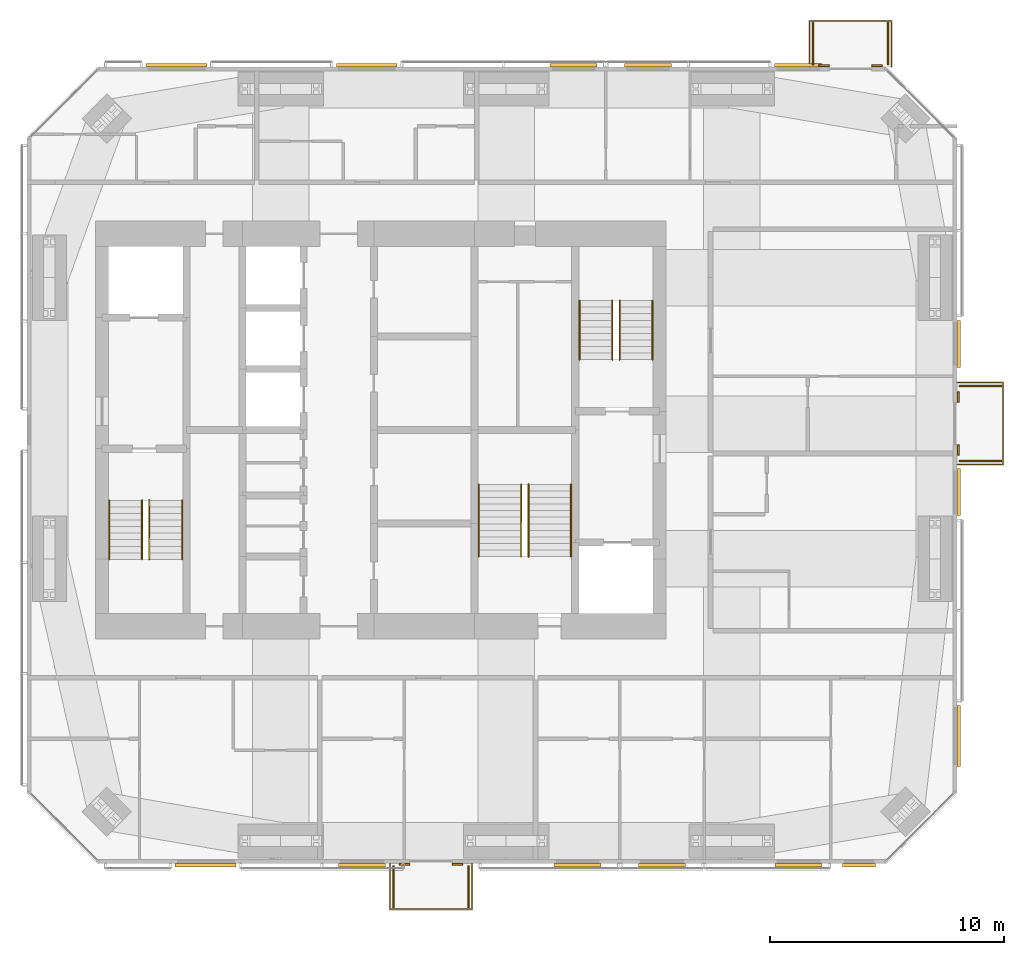
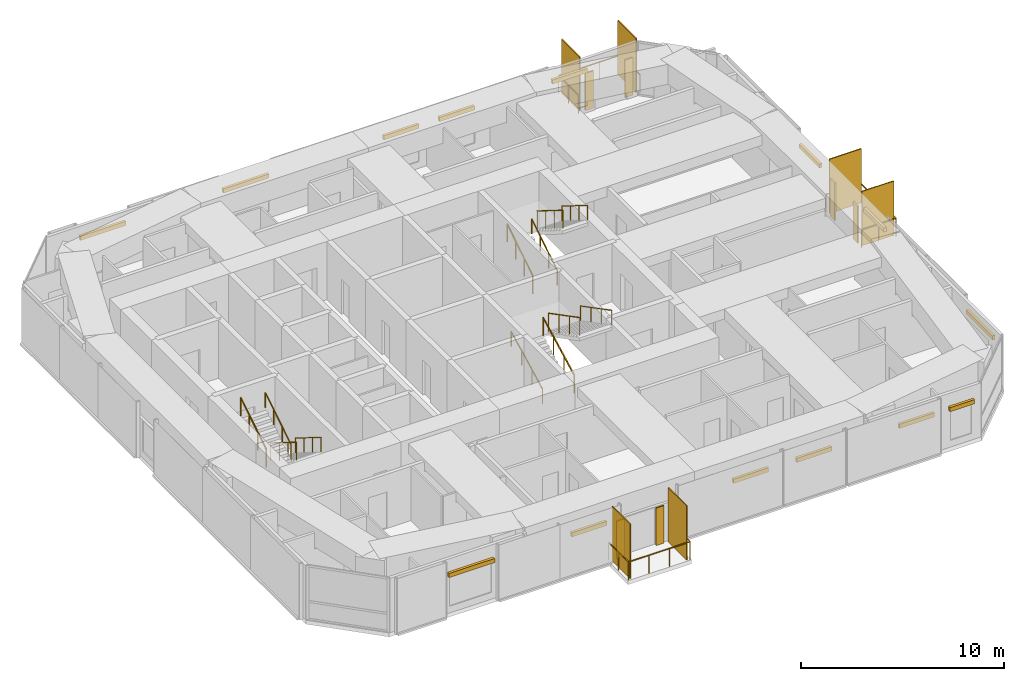
# One storey, part 18 of 18: 26 shading devices, 15 railings.
"""IFC4 building model written with IfcOpenShell, lengths in metres."""

import ifcopenshell
import ifcopenshell.guid

model = None  # the IFC model being written
_history = None  # IfcOwnerHistory: only IFC2X3 demands one
_inside = {}  # id of a spatial element -> (the spatial element, [elements in it])
_under = {}  # id of a project, library or spatial element -> (it, [spatial elements below it])
_declared = {}  # id of a project -> (the project, [libraries it declares])
_typed = {}  # id of a type object -> (the type object, [elements of that type])
_made_of = {}  # id of a material, layer set ... -> (it, [elements and type objects made of it])


def new_model(schema):
    """Start an empty IFC model of exactly this schema.

    Asked for "IFC4X3", IfcOpenShell would pick the latest addendum, in which some entities
    have other attributes; the version numbers below select the first issue.
    IFC2X3 requires an IfcOwnerHistory on every rooted entity: one is made here for all.
    """
    global model, _history
    if schema == "IFC4X3":
        model = ifcopenshell.file(schema_version=(4, 3, 0, 0))
    else:
        model = ifcopenshell.file(schema=schema)
    _inside.clear()
    _under.clear()
    _declared.clear()
    _typed.clear()
    _made_of.clear()
    _history = None
    if model.schema == "IFC2X3":
        org = make("IfcOrganization", Name="unknown")
        user = make(
            "IfcPersonAndOrganization",
            ThePerson=make("IfcPerson", FamilyName="unknown"),
            TheOrganization=org,
        )
        app = make(
            "IfcApplication",
            ApplicationDeveloper=org,
            Version="unknown",
            ApplicationFullName="unknown",
            ApplicationIdentifier="unknown",
        )
        _history = make(
            "IfcOwnerHistory",
            OwningUser=user,
            OwningApplication=app,
            ChangeAction="ADDED",
            CreationDate=0,
        )
    return model


def make(cls, **values):
    """One entity of the class cls with the attributes given. An attribute that is None is left unset."""
    return model.create_entity(
        cls, **{name: value for name, value in values.items() if value is not None}
    )


def rooted(cls, **values):
    """An entity with a GlobalId (a new one), such as an element, a storey or a relation."""
    return make(cls, GlobalId=ifcopenshell.guid.new(), OwnerHistory=_history, **values)


def si_unit(unit_type, name, prefix=None):
    """IfcSIUnit, for example si_unit("LENGTHUNIT", "METRE", prefix="MILLI")."""
    return make("IfcSIUnit", UnitType=unit_type, Prefix=prefix, Name=name)


def assignment(units):
    """IfcUnitAssignment: the units of a project."""
    return None if units is None else make("IfcUnitAssignment", Units=units)


def point(xyz):
    """IfcCartesianPoint."""
    return None if xyz is None else make("IfcCartesianPoint", Coordinates=xyz)


def direction(xyz):
    """IfcDirection."""
    return None if xyz is None else make("IfcDirection", DirectionRatios=xyz)


def frame(location, z_axis=None, x_axis=None):
    """IfcAxis2Placement3D, a coordinate frame: its origin and axes. An axis left out is left unset."""
    return make(
        "IfcAxis2Placement3D",
        Location=point(location),
        Axis=direction(z_axis),
        RefDirection=direction(x_axis),
    )


def frame_2d(location, x_axis=None):
    """IfcAxis2Placement2D, a coordinate frame in the plane: its origin and x axis."""
    return make(
        "IfcAxis2Placement2D", Location=point(location), RefDirection=direction(x_axis)
    )


def origin():
    """The frame at (0, 0, 0) with its axes left unset."""
    return frame((0.0, 0.0, 0.0))


def origin_2d():
    """The frame at (0, 0) in the plane with its x axis left unset."""
    return frame_2d((0.0, 0.0))


def place(relative_to, where):
    """IfcLocalPlacement: puts the frame where relative to a parent placement (None: the world)."""
    return make(
        "IfcLocalPlacement", PlacementRelTo=relative_to, RelativePlacement=where
    )


def context(
    kind, dimensions, precision=None, world=None, true_north=None, identifier=None
):
    """IfcGeometricRepresentationContext, for example the 3D "Model" context."""
    return make(
        "IfcGeometricRepresentationContext",
        ContextIdentifier=identifier,
        ContextType=kind,
        CoordinateSpaceDimension=dimensions,
        Precision=precision,
        WorldCoordinateSystem=world,
        TrueNorth=true_north,
    )


def subcontext(parent, identifier, kind, view, scale=None):
    """IfcGeometricRepresentationSubContext, for example "Body" below "Model"."""
    return make(
        "IfcGeometricRepresentationSubContext",
        ContextIdentifier=identifier,
        ContextType=kind,
        ParentContext=parent,
        TargetScale=scale,
        TargetView=view,
    )


def project(units=None, contexts=None):
    """IfcProject with its units and contexts."""
    return rooted(
        "IfcProject",
        Name="project",
        RepresentationContexts=contexts,
        UnitsInContext=assignment(units),
    )


def spatial(cls, under=None, at=None, **own):
    """A site, building, storey or space (cls), placed at a placement, below another one or the project."""
    s = rooted(cls, ObjectPlacement=at, **own)
    if under is not None:
        _under.setdefault(under.id(), (under, []))[1].append(s)
    return s


def profile(cls, at=None, kind="AREA", **sizes):
    """A parametric profile (cls). Its sizes go by their IFC names, for example OverallWidth=200.0."""
    return make(cls, ProfileType=kind, Position=at, **sizes)


def rectangle(**sizes):
    """IfcRectangleProfileDef."""
    return profile("IfcRectangleProfileDef", **sizes)


def circle(**sizes):
    """IfcCircleProfileDef."""
    return profile("IfcCircleProfileDef", **sizes)


def extrude(swept, where, along, depth):
    """IfcExtrudedAreaSolid: the profile swept, set in the frame where, extruded along a direction by depth."""
    return make(
        "IfcExtrudedAreaSolid",
        SweptArea=swept,
        Position=where,
        ExtrudedDirection=direction(along),
        Depth=depth,
    )


def shape(context_of_items, identifier, shape_type, items):
    """IfcShapeRepresentation: the items that make up one representation, for example the "Body"."""
    return make(
        "IfcShapeRepresentation",
        ContextOfItems=context_of_items,
        RepresentationIdentifier=identifier,
        RepresentationType=shape_type,
        Items=items,
    )


def material(Name=None, Category=None):
    """IfcMaterial."""
    return make("IfcMaterial", Name=Name, Category=Category)


def layer(
    of_material, thickness, ventilated=None, Name=None, Category=None, Priority=None
):
    """IfcMaterialLayer: one layer of a wall or slab, of a material (None: an air gap)."""
    return make(
        "IfcMaterialLayer",
        Material=of_material,
        LayerThickness=thickness,
        IsVentilated=ventilated,
        Name=Name,
        Category=Category,
        Priority=Priority,
    )


def layer_set(layers, Name=None):
    """IfcMaterialLayerSet."""
    return make("IfcMaterialLayerSet", MaterialLayers=layers, LayerSetName=Name)


def constituent(of_material, Name=None, Category=None, fraction=None):
    """IfcMaterialConstituent: one of the materials an element consists of."""
    return make(
        "IfcMaterialConstituent",
        Name=Name,
        Material=of_material,
        Fraction=fraction,
        Category=Category,
    )


def constituent_set(constituents=None, Name=None):
    """IfcMaterialConstituentSet."""
    return make(
        "IfcMaterialConstituentSet", Name=Name, MaterialConstituents=constituents
    )


def made_of(thing, what):
    """Note that an element or type object is made of a material, layer set ...; save() writes the relation."""
    if what is not None:
        _made_of.setdefault(what.id(), (what, []))[1].append(thing)
    return thing


def type_object(cls, material=None, **own):
    """A type object (cls), such as IfcWallType, which elements share."""
    return made_of(rooted(cls, **own), material)


def element(
    cls,
    number,
    at=None,
    inside=None,
    cuts=None,
    type_object=None,
    material=None,
    context=None,
    identifier="Body",
    shape_type=None,
    held_by="IfcProductDefinitionShape",
    body=None,
    shapes=None,
    **own,
):
    """One element of the class cls, such as IfcWall. Its Tag is "e" and its number.

    at: its placement. inside: the storey or other place that contains it. cuts: it is an
    opening in that element (IfcRelVoidsElement). A single representation is given by context,
    identifier, shape_type and body (its items); several are given by shapes. held_by: the class
    of the entity that holds the representations. save() writes the other relations.
    """
    e = rooted(cls, Tag="e%d" % number, ObjectPlacement=at, **own)
    if body is not None:
        shapes = [shape(context, identifier, shape_type, body)]
    if shapes is not None:
        e.Representation = make(held_by, Representations=shapes)
    if inside is not None:
        _inside.setdefault(inside.id(), (inside, []))[1].append(e)
    if cuts is not None:
        rooted(
            "IfcRelVoidsElement", RelatingBuildingElement=cuts, RelatedOpeningElement=e
        )
    if type_object is not None:
        _typed.setdefault(type_object.id(), (type_object, []))[1].append(e)
    return made_of(e, material)


def aggregate(whole, parts):
    """IfcRelAggregates: a whole, such as a stair, and the parts it consists of."""
    return rooted("IfcRelAggregates", RelatingObject=whole, RelatedObjects=parts)


def save(model, path):
    """Write the relations noted so far, then the file.

    IfcRelAggregates (storeys below a building ...), IfcRelContainedInSpatialStructure (elements
    in a storey), IfcRelDefinesByType, IfcRelAssociatesMaterial and IfcRelDeclares: one each for
    every whole, place, type object, material and project.
    """
    for whole, parts in _under.values():
        aggregate(whole, parts)
    for where, things in _inside.values():
        rooted(
            "IfcRelContainedInSpatialStructure",
            RelatedElements=things,
            RelatingStructure=where,
        )
    for kind, things in _typed.values():
        rooted("IfcRelDefinesByType", RelatedObjects=things, RelatingType=kind)
    for what, things in _made_of.values():
        rooted("IfcRelAssociatesMaterial", RelatedObjects=things, RelatingMaterial=what)
    for by, libraries in _declared.values():
        rooted("IfcRelDeclares", RelatingContext=by, RelatedDefinitions=libraries)
    model.write(path)


model = new_model("IFC4")

# Units and contexts
model_context = context("Model", 3, precision=1e-05, world=origin(), true_north=direction((0.0, 1.0)))
body_context = subcontext(model_context, "Body", "Model", "MODEL_VIEW")
ifc_project = project(units=[si_unit("LENGTHUNIT", "METRE"), si_unit("AREAUNIT", "SQUARE_METRE"), si_unit("VOLUMEUNIT", "CUBIC_METRE"), si_unit("PLANEANGLEUNIT", "RADIAN"), si_unit("MASSUNIT", "GRAM", prefix="KILO")], contexts=[model_context])

# Site, building, storey
site_placement = place(None, origin())
site = spatial("IfcSite", under=ifc_project, at=site_placement, CompositionType="ELEMENT")
building_placement = place(site_placement, origin())
building = spatial("IfcBuilding", under=site, at=building_placement, Name="Jalousie Tower", CompositionType="ELEMENT")
storey_placement = place(building_placement, frame((0.0, 0.0, 235.449951171875)))
storey = spatial("IfcBuildingStorey", under=building, at=storey_placement, Name="L64", CompositionType="ELEMENT", Elevation=235.449951171875)

# Shading devices
ifc_material_1 = material(Name="Aluminium impact-rated louvred storm shutter", Category="aluminium")
shading_device_type_1 = type_object("IfcShadingDeviceType", Name="BI-FOLD STORM SHUTTER 900x2250", PredefinedType="SHUTTER", material=ifc_material_1)
for number, where, z_axis, x_axis, name in (
    (1, (32.9150390625, -0.0400390625, 0.0), (0.0, 0.0, 1.0), (1.0, 0.0, 0.0), "Balcony storm shutter L64"),
    (2, (35.1650390625, -0.0400390625, 0.0), (0.0, 0.0, 1.0), (1.0, 0.0, 0.0), "Balcony storm shutter L64"),
    (3, (56.5400390625, 17.64990234375, 0.0), (0.0, 0.0, 1.0), (0.0, 1.0, 0.0), "Balcony storm shutter L64"),
    (4, (56.5400390625, 19.89990234375, 0.0), (0.0, 0.0, 1.0), (0.0, 1.0, 0.0), "Balcony storm shutter L64"),
    (5, (53.07373046875, 34.0400390625, 0.0), (0.0, 0.0, 1.0), (-1.0, 0.0, 0.0), "Balcony storm shutter L64"),
    (6, (50.82373046875, 34.0400390625, 0.0), (0.0, 0.0, 1.0), (-1.0, 0.0, 0.0), "Balcony storm shutter L64"),
):
    element("IfcShadingDevice", number, at=place(storey_placement, frame(where, z_axis=z_axis, x_axis=x_axis)), inside=storey, type_object=shading_device_type_1, Name=name, PredefinedType="SHUTTER", context=body_context, shape_type="SweptSolid", body=[
        extrude(rectangle(XDim=0.449951171875, YDim=0.080078125, at=origin_2d()), origin(), (0.0, 0.0, 1.0), 2.25),
    ])

# Railings
ifc_material_2 = material(Name="Powder-coated aluminium fretwork", Category="aluminium")
railing_type_1 = type_object("IfcRailingType", Name="FRETWORK BALUSTRADE 1100", PredefinedType="BALUSTRADE", material=ifc_material_2)
railing_1_placement = place(storey_placement, frame((32.2900390625, 0.0, 0.0)))
element("IfcRailing", 7, at=railing_1_placement, inside=storey, type_object=railing_type_1, Name="Balcony fretwork balustrade L64", PredefinedType="BALUSTRADE", context=body_context, shape_type="SweptSolid", body=[
    extrude(rectangle(XDim=0.048095703125, YDim=0.048095703125, at=origin_2d()), frame((0.0, 0.0, 1.076171875), z_axis=(0.0, -1.0, 0.0), x_axis=(1.0, 0.0, 0.0)), (0.0, 0.0, 1.0), 1.949951171875),
    extrude(rectangle(XDim=0.048095703125, YDim=0.048095703125, at=origin_2d()), frame((0.0, -1.949951171875, 1.076171875), z_axis=(1.0, 0.0, 0.0), x_axis=(0.0, 1.0, 0.0)), (0.0, 0.0, 1.0), 3.5),
    extrude(rectangle(XDim=0.048095703125, YDim=0.048095703125, at=origin_2d()), frame((3.5, -1.949951171875, 1.076171875), z_axis=(0.0, 1.0, 0.0), x_axis=(-1.0, 0.0, 0.0)), (0.0, 0.0, 1.0), 1.949951171875),
    extrude(circle(Radius=0.02099609375, at=origin_2d()), origin(), (0.0, 0.0, 1.0), 1.052001953125),
    extrude(circle(Radius=0.02099609375, at=origin_2d()), frame((0.0, -0.97509765625, 0.0)), (0.0, 0.0, 1.0), 1.052001953125),
    extrude(circle(Radius=0.02099609375, at=origin_2d()), frame((0.0, -1.949951171875, 0.0)), (0.0, 0.0, 1.0), 1.052001953125),
    extrude(circle(Radius=0.02099609375, at=origin_2d()), frame((1.166748046875, -1.949951171875, 0.0)), (0.0, 0.0, 1.0), 1.052001953125),
    extrude(circle(Radius=0.02099609375, at=origin_2d()), frame((2.333251953125, -1.949951171875, 0.0)), (0.0, 0.0, 1.0), 1.052001953125),
    extrude(circle(Radius=0.02099609375, at=origin_2d()), frame((3.5, -1.949951171875, 0.0)), (0.0, 0.0, 1.0), 1.052001953125),
    extrude(circle(Radius=0.02099609375, at=origin_2d()), frame((3.5, -0.97509765625, 0.0)), (0.0, 0.0, 1.0), 1.052001953125),
    extrude(circle(Radius=0.02099609375, at=origin_2d()), frame((3.5, 0.0, 0.0)), (0.0, 0.0, 1.0), 1.052001953125),
])
railing_2_placement = place(storey_placement, frame((56.5, 17.02490234375, 0.0)))
element("IfcRailing", 8, at=railing_2_placement, inside=storey, type_object=railing_type_1, Name="Balcony fretwork balustrade L64", PredefinedType="BALUSTRADE", context=body_context, shape_type="SweptSolid", body=[
    extrude(rectangle(XDim=0.048095703125, YDim=0.048095703125, at=origin_2d()), frame((0.0, 0.0, 1.076171875), z_axis=(1.0, 0.0, 0.0), x_axis=(0.0, 1.0, 0.0)), (0.0, 0.0, 1.0), 1.949951171875),
    extrude(rectangle(XDim=0.048095703125, YDim=0.048095703125, at=origin_2d()), frame((1.949951171875, 0.0, 1.076171875), z_axis=(0.0, 1.0, 0.0), x_axis=(-1.0, 0.0, 0.0)), (0.0, 0.0, 1.0), 3.5),
    extrude(rectangle(XDim=0.048095703125, YDim=0.048095703125, at=origin_2d()), frame((1.949951171875, 3.5, 1.076171875), z_axis=(-1.0, 0.0, 0.0), x_axis=(0.0, -1.0, 0.0)), (0.0, 0.0, 1.0), 1.949951171875),
    extrude(circle(Radius=0.02099609375, at=origin_2d()), origin(), (0.0, 0.0, 1.0), 1.052001953125),
    extrude(circle(Radius=0.02099609375, at=origin_2d()), frame((0.97509765625, 0.0, 0.0)), (0.0, 0.0, 1.0), 1.052001953125),
    extrude(circle(Radius=0.02099609375, at=origin_2d()), frame((1.949951171875, 0.0, 0.0)), (0.0, 0.0, 1.0), 1.052001953125),
    extrude(circle(Radius=0.02099609375, at=origin_2d()), frame((1.949951171875, 1.166748046875, 0.0)), (0.0, 0.0, 1.0), 1.052001953125),
    extrude(circle(Radius=0.02099609375, at=origin_2d()), frame((1.949951171875, 2.333251953125, 0.0)), (0.0, 0.0, 1.0), 1.052001953125),
    extrude(circle(Radius=0.02099609375, at=origin_2d()), frame((1.949951171875, 3.5, 0.0)), (0.0, 0.0, 1.0), 1.052001953125),
    extrude(circle(Radius=0.02099609375, at=origin_2d()), frame((0.97509765625, 3.5, 0.0)), (0.0, 0.0, 1.0), 1.052001953125),
    extrude(circle(Radius=0.02099609375, at=origin_2d()), frame((0.0, 3.5, 0.0)), (0.0, 0.0, 1.0), 1.052001953125),
])
railing_3_placement = place(storey_placement, frame((53.69873046875, 34.0, 0.0)))
element("IfcRailing", 9, at=railing_3_placement, inside=storey, type_object=railing_type_1, Name="Balcony fretwork balustrade L64", PredefinedType="BALUSTRADE", context=body_context, shape_type="SweptSolid", body=[
    extrude(rectangle(XDim=0.048095703125, YDim=0.048095703125, at=origin_2d()), frame((0.0, 0.0, 1.076171875), z_axis=(0.0, 1.0, 0.0), x_axis=(-1.0, 0.0, 0.0)), (0.0, 0.0, 1.0), 1.949951171875),
    extrude(rectangle(XDim=0.048095703125, YDim=0.048095703125, at=origin_2d()), frame((0.0, 1.949951171875, 1.076171875), z_axis=(-1.0, 0.0, 0.0), x_axis=(0.0, -1.0, 0.0)), (0.0, 0.0, 1.0), 3.5),
    extrude(rectangle(XDim=0.048095703125, YDim=0.048095703125, at=origin_2d()), frame((-3.5, 1.949951171875, 1.076171875), z_axis=(0.0, -1.0, 0.0), x_axis=(1.0, 0.0, 0.0)), (0.0, 0.0, 1.0), 1.949951171875),
    extrude(circle(Radius=0.02099609375, at=origin_2d()), origin(), (0.0, 0.0, 1.0), 1.052001953125),
    extrude(circle(Radius=0.02099609375, at=origin_2d()), frame((0.0, 0.97509765625, 0.0)), (0.0, 0.0, 1.0), 1.052001953125),
    extrude(circle(Radius=0.02099609375, at=origin_2d()), frame((0.0, 1.949951171875, 0.0)), (0.0, 0.0, 1.0), 1.052001953125),
    extrude(circle(Radius=0.02099609375, at=origin_2d()), frame((-1.166748046875, 1.949951171875, 0.0)), (0.0, 0.0, 1.0), 1.052001953125),
    extrude(circle(Radius=0.02099609375, at=origin_2d()), frame((-2.333251953125, 1.949951171875, 0.0)), (0.0, 0.0, 1.0), 1.052001953125),
    extrude(circle(Radius=0.02099609375, at=origin_2d()), frame((-3.5, 1.949951171875, 0.0)), (0.0, 0.0, 1.0), 1.052001953125),
    extrude(circle(Radius=0.02099609375, at=origin_2d()), frame((-3.5, 0.97509765625, 0.0)), (0.0, 0.0, 1.0), 1.052001953125),
    extrude(circle(Radius=0.02099609375, at=origin_2d()), frame((-3.5, 0.0, 0.0)), (0.0, 0.0, 1.0), 1.052001953125),
])

# Shading devices
ifc_material_3 = material(Name="Powder-coated aluminium louvres", Category="aluminium")
ifc_layer = layer(ifc_material_3, 0.06005859375)
ifc_layer_set = layer_set([ifc_layer], Name="Powder-coated aluminium louvres")
shading_device_type_2 = type_object("IfcShadingDeviceType", Name="JALOUSIE LOUVRE SCREEN", PredefinedType="JALOUSIE", material=ifc_layer_set)
for number, where, z_axis, x_axis, name in (
    (10, (32.43994140625, -1.0, 0.0), (0.0, 0.0, 1.0), (1.0, 0.0, 0.0), "Jalousie louvre screen L64"),
    (11, (35.639892578125, -1.0, 0.0), (0.0, 0.0, 1.0), (1.0, 0.0, 0.0), "Jalousie louvre screen L64"),
    (12, (57.5, 17.175048828125, 0.0), (0.0, 0.0, 1.0), (0.0, 1.0, 0.0), "Jalousie louvre screen L64"),
    (13, (57.5, 20.375, 0.0), (0.0, 0.0, 1.0), (0.0, 1.0, 0.0), "Jalousie louvre screen L64"),
    (14, (53.548583984375, 35.0, 0.0), (0.0, 0.0, 1.0), (-1.0, 0.0, 0.0), "Jalousie louvre screen L64"),
    (15, (50.3486328125, 35.0, 0.0), (0.0, 0.0, 1.0), (-1.0, 0.0, 0.0), "Jalousie louvre screen L64"),
):
    element("IfcShadingDevice", number, at=place(storey_placement, frame(where, z_axis=z_axis, x_axis=x_axis)), inside=storey, type_object=shading_device_type_2, Name=name, PredefinedType="JALOUSIE", context=body_context, shape_type="SweptSolid", body=[
        extrude(rectangle(XDim=0.06005859375, YDim=1.800048828125, at=origin_2d()), origin(), (0.0, 0.0, 1.0), 3.260009765625),
    ])

# Railings
ifc_material_4 = material(Name="Steel ASTM A500 Grade C", Category="steel")
ifc_constituent_1 = constituent(ifc_material_4, Name="Body")
ifc_material_5 = material(Name="Hot-dip galvanised zinc coating")
ifc_constituent_2 = constituent(ifc_material_5, Name="Finish")
ifc_constituent_set_1 = constituent_set(constituents=[ifc_constituent_1, ifc_constituent_2])
railing_type_2 = type_object("IfcRailingType", Name="STAIR GUARD 1100", PredefinedType="GUARDRAIL", material=ifc_constituent_set_1)
railing_4_placement = place(storey_placement, frame((22.017578125, 15.49755859375, 0.175048828125)))
element("IfcRailing", 16, at=railing_4_placement, inside=storey, type_object=railing_type_2, Name="Exit stair A guard L64 flight 1", PredefinedType="GUARDRAIL", context=body_context, shape_type="SweptSolid", body=[
    extrude(rectangle(XDim=0.048095703125, YDim=0.048095703125, at=origin_2d()), frame((0.0, 0.0, 1.076171875), z_axis=(0.0, -0.848007534815, 0.529984170421), x_axis=(1.0, 0.0, 0.0)), (0.0, 0.0, 1.0), 2.9716796875),
    extrude(circle(Radius=0.02099609375, at=origin_2d()), origin(), (0.0, 0.0, 1.0), 1.052001953125),
    extrude(circle(Radius=0.02099609375, at=origin_2d()), frame((0.0, -0.840087890625, 0.52490234375)), (0.0, 0.0, 1.0), 1.052001953125),
    extrude(circle(Radius=0.02099609375, at=origin_2d()), frame((0.0, -1.679931640625, 1.050048828125)), (0.0, 0.0, 1.0), 1.052001953125),
    extrude(circle(Radius=0.02099609375, at=origin_2d()), frame((0.0, -2.52001953125, 1.574951171875)), (0.0, 0.0, 1.0), 1.052001953125),
])
for number, where, name in (
    (17, (20.304931640625, 12.9775390625, 1.925048828125), "Exit stair A guard L64 flight 2"),
    (18, (40.3798828125, 21.50244140625, 0.175048828125), "Exit stair B guard L64 flight 1"),
):
    element("IfcRailing", number, at=place(storey_placement, frame(where)), inside=storey, type_object=railing_type_2, Name=name, PredefinedType="GUARDRAIL", context=body_context, shape_type="SweptSolid", body=[
        extrude(rectangle(XDim=0.048095703125, YDim=0.048095703125, at=origin_2d()), frame((0.0, 0.0, 1.076171875), z_axis=(0.0, 0.848007534815, 0.529984170421), x_axis=(-1.0, 0.0, 0.0)), (0.0, 0.0, 1.0), 2.9716796875),
        extrude(circle(Radius=0.02099609375, at=origin_2d()), origin(), (0.0, 0.0, 1.0), 1.052001953125),
        extrude(circle(Radius=0.02099609375, at=origin_2d()), frame((0.0, 0.840087890625, 0.52490234375)), (0.0, 0.0, 1.0), 1.052001953125),
        extrude(circle(Radius=0.02099609375, at=origin_2d()), frame((0.0, 1.679931640625, 1.050048828125)), (0.0, 0.0, 1.0), 1.052001953125),
        extrude(circle(Radius=0.02099609375, at=origin_2d()), frame((0.0, 2.52001953125, 1.574951171875)), (0.0, 0.0, 1.0), 1.052001953125),
    ])
railing_5_placement = place(storey_placement, frame((42.092529296875, 24.0224609375, 1.925048828125)))
element("IfcRailing", 19, at=railing_5_placement, inside=storey, type_object=railing_type_2, Name="Exit stair B guard L64 flight 2", PredefinedType="GUARDRAIL", context=body_context, shape_type="SweptSolid", body=[
    extrude(rectangle(XDim=0.048095703125, YDim=0.048095703125, at=origin_2d()), frame((0.0, 0.0, 1.076171875), z_axis=(0.0, -0.848007534815, 0.529984170421), x_axis=(1.0, 0.0, 0.0)), (0.0, 0.0, 1.0), 2.9716796875),
    extrude(circle(Radius=0.02099609375, at=origin_2d()), origin(), (0.0, 0.0, 1.0), 1.052001953125),
    extrude(circle(Radius=0.02099609375, at=origin_2d()), frame((0.0, -0.840087890625, 0.52490234375)), (0.0, 0.0, 1.0), 1.052001953125),
    extrude(circle(Radius=0.02099609375, at=origin_2d()), frame((0.0, -1.679931640625, 1.050048828125)), (0.0, 0.0, 1.0), 1.052001953125),
    extrude(circle(Radius=0.02099609375, at=origin_2d()), frame((0.0, -2.52001953125, 1.574951171875)), (0.0, 0.0, 1.0), 1.052001953125),
])
railing_6_placement = place(storey_placement, frame((37.89501953125, 13.097412109375, 0.145751953125)))
element("IfcRailing", 20, at=railing_6_placement, inside=storey, type_object=railing_type_2, Name="Exit stair C guard L64 flight 1", PredefinedType="GUARDRAIL", context=body_context, shape_type="SweptSolid", body=[
    extrude(rectangle(XDim=0.048095703125, YDim=0.048095703125, at=origin_2d()), frame((0.0, 0.0, 1.076171875), z_axis=(0.0, 0.886909283822, 0.461943635383), x_axis=(-1.0, 0.0, 0.0)), (0.0, 0.0, 1.0), 3.472900390625),
    extrude(circle(Radius=0.02099609375, at=origin_2d()), origin(), (0.0, 0.0, 1.0), 1.052001953125),
    extrude(circle(Radius=0.02099609375, at=origin_2d()), frame((0.0, 1.026611328125, 0.53466796875)), (0.0, 0.0, 1.0), 1.052001953125),
    extrude(circle(Radius=0.02099609375, at=origin_2d()), frame((0.0, 2.053466796875, 1.069580078125)), (0.0, 0.0, 1.0), 1.052001953125),
    extrude(circle(Radius=0.02099609375, at=origin_2d()), frame((0.0, 3.080078125, 1.604248046875)), (0.0, 0.0, 1.0), 1.052001953125),
])
railing_7_placement = place(storey_placement, frame((38.205078125, 16.177490234375, 1.895751953125)))
element("IfcRailing", 21, at=railing_7_placement, inside=storey, type_object=railing_type_2, Name="Exit stair C guard L64 flight 2", PredefinedType="GUARDRAIL", context=body_context, shape_type="SweptSolid", body=[
    extrude(rectangle(XDim=0.048095703125, YDim=0.048095703125, at=origin_2d()), frame((0.0, 0.0, 1.076171875), z_axis=(0.0, -0.886909283822, 0.461943635383), x_axis=(1.0, 0.0, 0.0)), (0.0, 0.0, 1.0), 3.472900390625),
    extrude(circle(Radius=0.02099609375, at=origin_2d()), origin(), (0.0, 0.0, 1.0), 1.052001953125),
    extrude(circle(Radius=0.02099609375, at=origin_2d()), frame((0.0, -1.026611328125, 0.53466796875)), (0.0, 0.0, 1.0), 1.052001953125),
    extrude(circle(Radius=0.02099609375, at=origin_2d()), frame((0.0, -2.053466796875, 1.069580078125)), (0.0, 0.0, 1.0), 1.052001953125),
    extrude(circle(Radius=0.02099609375, at=origin_2d()), frame((0.0, -3.080078125, 1.604248046875)), (0.0, 0.0, 1.0), 1.052001953125),
])
ifc_material_6 = material(Name="Steel ASTM A500 Grade C", Category="steel")
ifc_constituent_3 = constituent(ifc_material_6, Name="Body")
ifc_material_7 = material(Name="Hot-dip galvanised zinc coating")
ifc_constituent_4 = constituent(ifc_material_7, Name="Finish")
ifc_constituent_set_2 = constituent_set(constituents=[ifc_constituent_3, ifc_constituent_4])
railing_type_3 = type_object("IfcRailingType", Name="STAIR HANDRAIL 900", PredefinedType="HANDRAIL", material=ifc_constituent_set_2)
railing_8_placement = place(storey_placement, frame((23.420166015625, 15.49755859375, 0.175048828125)))
element("IfcRailing", 22, at=railing_8_placement, inside=storey, type_object=railing_type_3, Name="Exit stair A handrail L64 flight 1", PredefinedType="HANDRAIL", context=body_context, shape_type="SweptSolid", body=[
    extrude(circle(Radius=0.02392578125, at=origin_2d()), frame((0.0, 0.0, 0.8759765625), z_axis=(0.0, -0.848007534815, 0.529984170421), x_axis=(1.0, 0.0, 0.0)), (0.0, 0.0, 1.0), 2.9716796875),
    extrude(circle(Radius=0.02099609375, at=origin_2d()), origin(), (0.0, 0.0, 1.0), 0.851806640625),
    extrude(circle(Radius=0.02099609375, at=origin_2d()), frame((0.0, -0.840087890625, 0.52490234375)), (0.0, 0.0, 1.0), 0.851806640625),
    extrude(circle(Radius=0.02099609375, at=origin_2d()), frame((0.0, -1.679931640625, 1.050048828125)), (0.0, 0.0, 1.0), 0.851806640625),
    extrude(circle(Radius=0.02099609375, at=origin_2d()), frame((0.0, -2.52001953125, 1.574951171875)), (0.0, 0.0, 1.0), 0.851806640625),
])
for number, where, name in (
    (23, (21.70751953125, 12.9775390625, 1.925048828125), "Exit stair A handrail L64 flight 2"),
    (24, (41.782470703125, 21.50244140625, 0.175048828125), "Exit stair B handrail L64 flight 1"),
):
    element("IfcRailing", number, at=place(storey_placement, frame(where)), inside=storey, type_object=railing_type_3, Name=name, PredefinedType="HANDRAIL", context=body_context, shape_type="SweptSolid", body=[
        extrude(circle(Radius=0.02392578125, at=origin_2d()), frame((0.0, 0.0, 0.8759765625), z_axis=(0.0, 0.848007534815, 0.529984170421), x_axis=(-1.0, 0.0, 0.0)), (0.0, 0.0, 1.0), 2.9716796875),
        extrude(circle(Radius=0.02099609375, at=origin_2d()), origin(), (0.0, 0.0, 1.0), 0.851806640625),
        extrude(circle(Radius=0.02099609375, at=origin_2d()), frame((0.0, 0.840087890625, 0.52490234375)), (0.0, 0.0, 1.0), 0.851806640625),
        extrude(circle(Radius=0.02099609375, at=origin_2d()), frame((0.0, 1.679931640625, 1.050048828125)), (0.0, 0.0, 1.0), 0.851806640625),
        extrude(circle(Radius=0.02099609375, at=origin_2d()), frame((0.0, 2.52001953125, 1.574951171875)), (0.0, 0.0, 1.0), 0.851806640625),
    ])
railing_9_placement = place(storey_placement, frame((43.4951171875, 24.0224609375, 1.925048828125)))
element("IfcRailing", 25, at=railing_9_placement, inside=storey, type_object=railing_type_3, Name="Exit stair B handrail L64 flight 2", PredefinedType="HANDRAIL", context=body_context, shape_type="SweptSolid", body=[
    extrude(circle(Radius=0.02392578125, at=origin_2d()), frame((0.0, 0.0, 0.8759765625), z_axis=(0.0, -0.848007534815, 0.529984170421), x_axis=(1.0, 0.0, 0.0)), (0.0, 0.0, 1.0), 2.9716796875),
    extrude(circle(Radius=0.02099609375, at=origin_2d()), origin(), (0.0, 0.0, 1.0), 0.851806640625),
    extrude(circle(Radius=0.02099609375, at=origin_2d()), frame((0.0, -0.840087890625, 0.52490234375)), (0.0, 0.0, 1.0), 0.851806640625),
    extrude(circle(Radius=0.02099609375, at=origin_2d()), frame((0.0, -1.679931640625, 1.050048828125)), (0.0, 0.0, 1.0), 0.851806640625),
    extrude(circle(Radius=0.02099609375, at=origin_2d()), frame((0.0, -2.52001953125, 1.574951171875)), (0.0, 0.0, 1.0), 0.851806640625),
])
railing_10_placement = place(storey_placement, frame((36.080078125, 13.097412109375, 0.145751953125)))
element("IfcRailing", 26, at=railing_10_placement, inside=storey, type_object=railing_type_3, Name="Exit stair C handrail L64 flight 1", PredefinedType="HANDRAIL", context=body_context, shape_type="SweptSolid", body=[
    extrude(circle(Radius=0.02392578125, at=origin_2d()), frame((0.0, 0.0, 0.8759765625), z_axis=(0.0, 0.886909283822, 0.461943635383), x_axis=(-1.0, 0.0, 0.0)), (0.0, 0.0, 1.0), 3.472900390625),
    extrude(circle(Radius=0.02099609375, at=origin_2d()), origin(), (0.0, 0.0, 1.0), 0.851806640625),
    extrude(circle(Radius=0.02099609375, at=origin_2d()), frame((0.0, 1.026611328125, 0.53466796875)), (0.0, 0.0, 1.0), 0.851806640625),
    extrude(circle(Radius=0.02099609375, at=origin_2d()), frame((0.0, 2.053466796875, 1.069580078125)), (0.0, 0.0, 1.0), 0.851806640625),
    extrude(circle(Radius=0.02099609375, at=origin_2d()), frame((0.0, 3.080078125, 1.604248046875)), (0.0, 0.0, 1.0), 0.851806640625),
])
railing_11_placement = place(storey_placement, frame((40.02001953125, 16.177490234375, 1.895751953125)))
element("IfcRailing", 27, at=railing_11_placement, inside=storey, type_object=railing_type_3, Name="Exit stair C handrail L64 flight 2", PredefinedType="HANDRAIL", context=body_context, shape_type="SweptSolid", body=[
    extrude(circle(Radius=0.02392578125, at=origin_2d()), frame((0.0, 0.0, 0.8759765625), z_axis=(0.0, -0.886909283822, 0.461943635383), x_axis=(1.0, 0.0, 0.0)), (0.0, 0.0, 1.0), 3.472900390625),
    extrude(circle(Radius=0.02099609375, at=origin_2d()), origin(), (0.0, 0.0, 1.0), 0.851806640625),
    extrude(circle(Radius=0.02099609375, at=origin_2d()), frame((0.0, -1.026611328125, 0.53466796875)), (0.0, 0.0, 1.0), 0.851806640625),
    extrude(circle(Radius=0.02099609375, at=origin_2d()), frame((0.0, -2.053466796875, 1.069580078125)), (0.0, 0.0, 1.0), 0.851806640625),
    extrude(circle(Radius=0.02099609375, at=origin_2d()), frame((0.0, -3.080078125, 1.604248046875)), (0.0, 0.0, 1.0), 0.851806640625),
])

# Shading devices
ifc_material_8 = material(Name="Aluminium roller storm shutter", Category="aluminium")
shading_device_type_3 = type_object("IfcShadingDeviceType", Name="STORM SHUTTER HOUSING", PredefinedType="SHUTTER", material=ifc_material_8)
shading_device_1_placement = place(storey_placement, frame((24.423583984375, -0.074951171875, 2.25), z_axis=(0.0, 0.0, 1.0), x_axis=(1.0, 0.0, 0.0)))
element("IfcShadingDevice", 28, at=shading_device_1_placement, inside=storey, type_object=shading_device_type_3, Name="Storm shutter L64", PredefinedType="SHUTTER", context=body_context, shape_type="SweptSolid", body=[
    extrude(rectangle(XDim=2.60009765625, YDim=0.14990234375, at=origin_2d()), origin(), (0.0, 0.0, 1.0), 0.25),
])
for number, where, z_axis, x_axis, name in (
    (29, (31.10009765625, -0.074951171875, 2.25), (0.0, 0.0, 1.0), (1.0, 0.0, 0.0), "Storm shutter L64"),
    (30, (40.300048828125, -0.074951171875, 2.25), (0.0, 0.0, 1.0), (1.0, 0.0, 0.0), "Storm shutter L64"),
    (31, (43.89990234375, -0.074951171875, 2.25), (0.0, 0.0, 1.0), (1.0, 0.0, 0.0), "Storm shutter L64"),
    (32, (49.72998046875, -0.074951171875, 2.25), (0.0, 0.0, 1.0), (1.0, 0.0, 0.0), "Storm shutter L64"),
):
    element("IfcShadingDevice", number, at=place(storey_placement, frame(where, z_axis=z_axis, x_axis=x_axis)), inside=storey, type_object=shading_device_type_3, Name=name, PredefinedType="SHUTTER", context=body_context, shape_type="SweptSolid", body=[
        extrude(rectangle(XDim=2.0, YDim=0.14990234375, at=origin_2d()), origin(), (0.0, 0.0, 1.0), 0.25),
    ])
shading_device_2_placement = place(storey_placement, frame((52.312744140625, -0.074951171875, 2.25), z_axis=(0.0, 0.0, 1.0), x_axis=(1.0, 0.0, 0.0)))
element("IfcShadingDevice", 33, at=shading_device_2_placement, inside=storey, type_object=shading_device_type_3, Name="Storm shutter L64", PredefinedType="SHUTTER", context=body_context, shape_type="SweptSolid", body=[
    extrude(rectangle(XDim=1.39990234375, YDim=0.14990234375, at=origin_2d()), origin(), (0.0, 0.0, 1.0), 0.25),
])
shading_device_3_placement = place(storey_placement, frame((56.574951171875, 5.43798828125, 2.25), z_axis=(0.0, 0.0, 1.0), x_axis=(0.0, 1.0, 0.0)))
element("IfcShadingDevice", 34, at=shading_device_3_placement, inside=storey, type_object=shading_device_type_3, Name="Storm shutter L64", PredefinedType="SHUTTER", context=body_context, shape_type="SweptSolid", body=[
    extrude(rectangle(XDim=2.60009765625, YDim=0.14990234375, at=origin_2d()), origin(), (0.0, 0.0, 1.0), 0.25),
])
for number, where, z_axis, x_axis, name in (
    (35, (56.574951171875, 15.848388671875, 2.25), (0.0, 0.0, 1.0), (0.0, 1.0, 0.0), "Storm shutter L64"),
    (36, (56.574951171875, 22.175048828125, 2.25), (0.0, 0.0, 1.0), (0.0, 1.0, 0.0), "Storm shutter L64"),
    (37, (49.713623046875, 34.074951171875, 2.25), (0.0, 0.0, 1.0), (-1.0, 0.0, 0.0), "Storm shutter L64"),
    (38, (43.300048828125, 34.074951171875, 2.25), (0.0, 0.0, 1.0), (-1.0, 0.0, 0.0), "Storm shutter L64"),
    (39, (40.12890625, 34.074951171875, 2.25), (0.0, 0.0, 1.0), (-1.0, 0.0, 0.0), "Storm shutter L64"),
):
    element("IfcShadingDevice", number, at=place(storey_placement, frame(where, z_axis=z_axis, x_axis=x_axis)), inside=storey, type_object=shading_device_type_3, Name=name, PredefinedType="SHUTTER", context=body_context, shape_type="SweptSolid", body=[
        extrude(rectangle(XDim=2.0, YDim=0.14990234375, at=origin_2d()), origin(), (0.0, 0.0, 1.0), 0.25),
    ])
for number, where, z_axis, x_axis, name in (
    (40, (31.300048828125, 34.074951171875, 2.25), (0.0, 0.0, 1.0), (-1.0, 0.0, 0.0), "Storm shutter L64"),
    (41, (23.175537109375, 34.074951171875, 2.25), (0.0, 0.0, 1.0), (-1.0, 0.0, 0.0), "Storm shutter L64"),
):
    element("IfcShadingDevice", number, at=place(storey_placement, frame(where, z_axis=z_axis, x_axis=x_axis)), inside=storey, type_object=shading_device_type_3, Name=name, PredefinedType="SHUTTER", context=body_context, shape_type="SweptSolid", body=[
        extrude(rectangle(XDim=2.60009765625, YDim=0.14990234375, at=origin_2d()), origin(), (0.0, 0.0, 1.0), 0.25),
    ])

save(model, "model.ifc")
